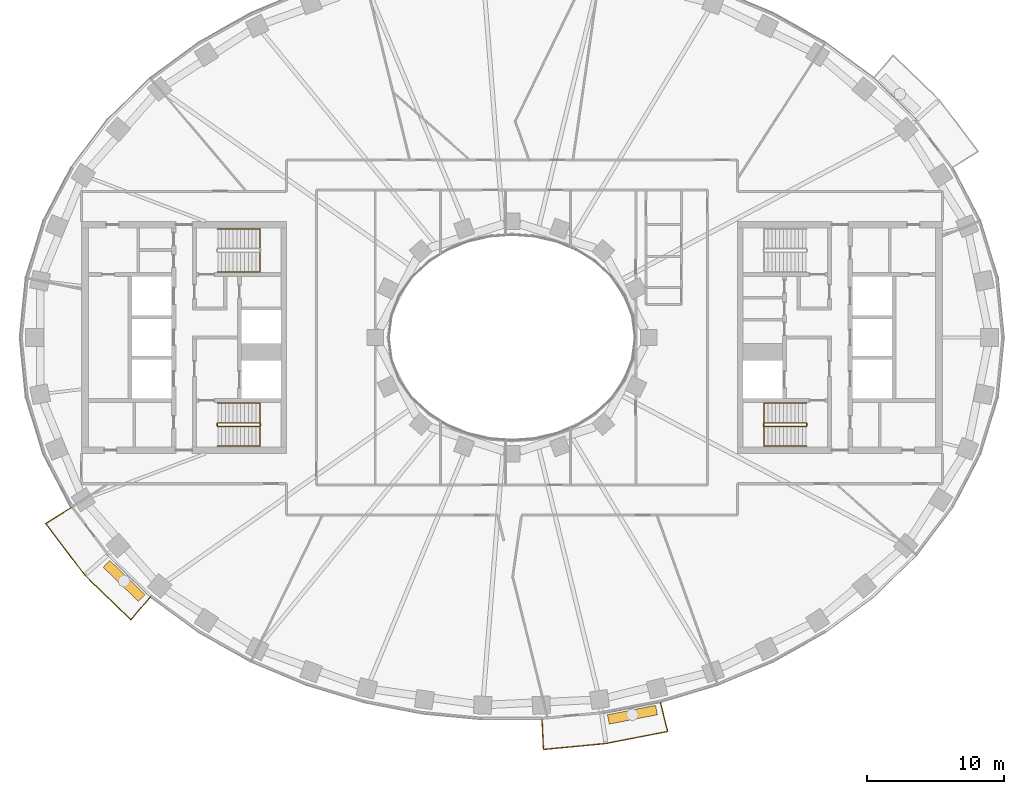
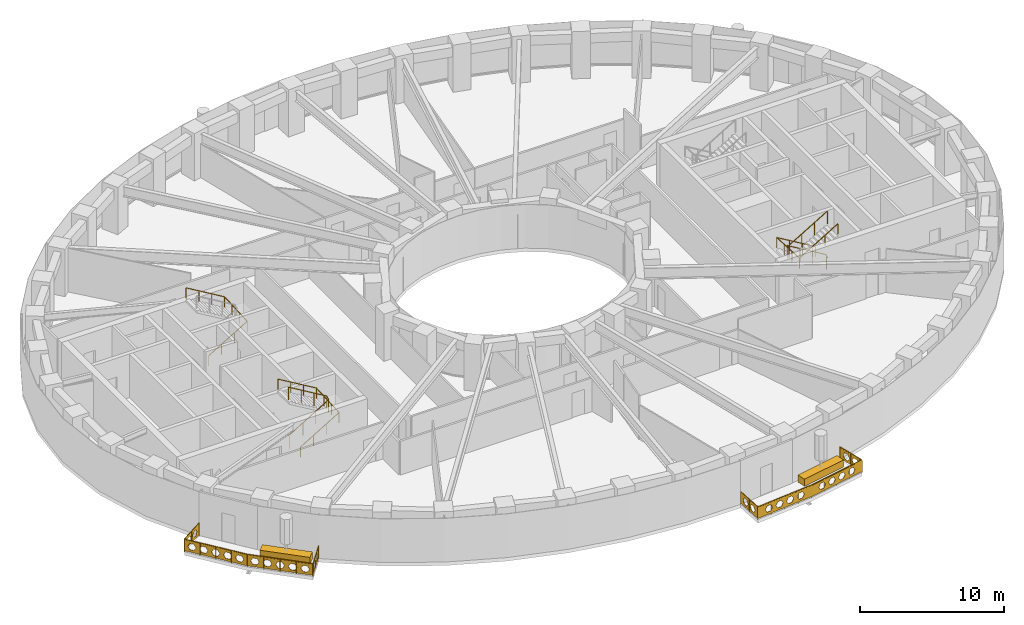
# One storey, part 14 of 16: 7 railings, 2 coverings.
"""IFC4 building model written with IfcOpenShell, lengths in metres."""

import ifcopenshell
import ifcopenshell.guid

model = None  # the IFC model being written
_history = None  # IfcOwnerHistory: only IFC2X3 demands one
_inside = {}  # id of a spatial element -> (the spatial element, [elements in it])
_under = {}  # id of a project, library or spatial element -> (it, [spatial elements below it])
_declared = {}  # id of a project -> (the project, [libraries it declares])
_typed = {}  # id of a type object -> (the type object, [elements of that type])
_made_of = {}  # id of a material, layer set ... -> (it, [elements and type objects made of it])


def new_model(schema):
    """Start an empty IFC model of exactly this schema.

    Asked for "IFC4X3", IfcOpenShell would pick the latest addendum, in which some entities
    have other attributes; the version numbers below select the first issue.
    IFC2X3 requires an IfcOwnerHistory on every rooted entity: one is made here for all.
    """
    global model, _history
    if schema == "IFC4X3":
        model = ifcopenshell.file(schema_version=(4, 3, 0, 0))
    else:
        model = ifcopenshell.file(schema=schema)
    _inside.clear()
    _under.clear()
    _declared.clear()
    _typed.clear()
    _made_of.clear()
    _history = None
    if model.schema == "IFC2X3":
        org = make("IfcOrganization", Name="unknown")
        user = make(
            "IfcPersonAndOrganization",
            ThePerson=make("IfcPerson", FamilyName="unknown"),
            TheOrganization=org,
        )
        app = make(
            "IfcApplication",
            ApplicationDeveloper=org,
            Version="unknown",
            ApplicationFullName="unknown",
            ApplicationIdentifier="unknown",
        )
        _history = make(
            "IfcOwnerHistory",
            OwningUser=user,
            OwningApplication=app,
            ChangeAction="ADDED",
            CreationDate=0,
        )
    return model


def make(cls, **values):
    """One entity of the class cls with the attributes given. An attribute that is None is left unset."""
    return model.create_entity(
        cls, **{name: value for name, value in values.items() if value is not None}
    )


def rooted(cls, **values):
    """An entity with a GlobalId (a new one), such as an element, a storey or a relation."""
    return make(cls, GlobalId=ifcopenshell.guid.new(), OwnerHistory=_history, **values)


def si_unit(unit_type, name, prefix=None):
    """IfcSIUnit, for example si_unit("LENGTHUNIT", "METRE", prefix="MILLI")."""
    return make("IfcSIUnit", UnitType=unit_type, Prefix=prefix, Name=name)


def assignment(units):
    """IfcUnitAssignment: the units of a project."""
    return None if units is None else make("IfcUnitAssignment", Units=units)


def point(xyz):
    """IfcCartesianPoint."""
    return None if xyz is None else make("IfcCartesianPoint", Coordinates=xyz)


def direction(xyz):
    """IfcDirection."""
    return None if xyz is None else make("IfcDirection", DirectionRatios=xyz)


def frame(location, z_axis=None, x_axis=None):
    """IfcAxis2Placement3D, a coordinate frame: its origin and axes. An axis left out is left unset."""
    return make(
        "IfcAxis2Placement3D",
        Location=point(location),
        Axis=direction(z_axis),
        RefDirection=direction(x_axis),
    )


def frame_2d(location, x_axis=None):
    """IfcAxis2Placement2D, a coordinate frame in the plane: its origin and x axis."""
    return make(
        "IfcAxis2Placement2D", Location=point(location), RefDirection=direction(x_axis)
    )


def origin():
    """The frame at (0, 0, 0) with its axes left unset."""
    return frame((0.0, 0.0, 0.0))


def origin_2d():
    """The frame at (0, 0) in the plane with its x axis left unset."""
    return frame_2d((0.0, 0.0))


def place(relative_to, where):
    """IfcLocalPlacement: puts the frame where relative to a parent placement (None: the world)."""
    return make(
        "IfcLocalPlacement", PlacementRelTo=relative_to, RelativePlacement=where
    )


def context(
    kind, dimensions, precision=None, world=None, true_north=None, identifier=None
):
    """IfcGeometricRepresentationContext, for example the 3D "Model" context."""
    return make(
        "IfcGeometricRepresentationContext",
        ContextIdentifier=identifier,
        ContextType=kind,
        CoordinateSpaceDimension=dimensions,
        Precision=precision,
        WorldCoordinateSystem=world,
        TrueNorth=true_north,
    )


def subcontext(parent, identifier, kind, view, scale=None):
    """IfcGeometricRepresentationSubContext, for example "Body" below "Model"."""
    return make(
        "IfcGeometricRepresentationSubContext",
        ContextIdentifier=identifier,
        ContextType=kind,
        ParentContext=parent,
        TargetScale=scale,
        TargetView=view,
    )


def project(units=None, contexts=None):
    """IfcProject with its units and contexts."""
    return rooted(
        "IfcProject",
        Name="project",
        RepresentationContexts=contexts,
        UnitsInContext=assignment(units),
    )


def spatial(cls, under=None, at=None, **own):
    """A site, building, storey or space (cls), placed at a placement, below another one or the project."""
    s = rooted(cls, ObjectPlacement=at, **own)
    if under is not None:
        _under.setdefault(under.id(), (under, []))[1].append(s)
    return s


def polyline(points):
    """IfcPolyline through the points."""
    return make("IfcPolyline", Points=[point(p) for p in points])


def profile(cls, at=None, kind="AREA", **sizes):
    """A parametric profile (cls). Its sizes go by their IFC names, for example OverallWidth=200.0."""
    return make(cls, ProfileType=kind, Position=at, **sizes)


def rectangle(**sizes):
    """IfcRectangleProfileDef."""
    return profile("IfcRectangleProfileDef", **sizes)


def outline(outer, holes=None, kind="AREA"):
    """IfcArbitraryClosedProfileDef: a profile drawn as a closed curve; with holes, ...WithVoids."""
    if holes is None:
        return make("IfcArbitraryClosedProfileDef", ProfileType=kind, OuterCurve=outer)
    return make(
        "IfcArbitraryProfileDefWithVoids",
        ProfileType=kind,
        OuterCurve=outer,
        InnerCurves=holes,
    )


def extrude(swept, where, along, depth):
    """IfcExtrudedAreaSolid: the profile swept, set in the frame where, extruded along a direction by depth."""
    return make(
        "IfcExtrudedAreaSolid",
        SweptArea=swept,
        Position=where,
        ExtrudedDirection=direction(along),
        Depth=depth,
    )


def shape(context_of_items, identifier, shape_type, items):
    """IfcShapeRepresentation: the items that make up one representation, for example the "Body"."""
    return make(
        "IfcShapeRepresentation",
        ContextOfItems=context_of_items,
        RepresentationIdentifier=identifier,
        RepresentationType=shape_type,
        Items=items,
    )


def material(Name=None, Category=None):
    """IfcMaterial."""
    return make("IfcMaterial", Name=Name, Category=Category)


def made_of(thing, what):
    """Note that an element or type object is made of a material, layer set ...; save() writes the relation."""
    if what is not None:
        _made_of.setdefault(what.id(), (what, []))[1].append(thing)
    return thing


def type_object(cls, material=None, **own):
    """A type object (cls), such as IfcWallType, which elements share."""
    return made_of(rooted(cls, **own), material)


def element(
    cls,
    number,
    at=None,
    inside=None,
    cuts=None,
    type_object=None,
    material=None,
    context=None,
    identifier="Body",
    shape_type=None,
    held_by="IfcProductDefinitionShape",
    body=None,
    shapes=None,
    **own,
):
    """One element of the class cls, such as IfcWall. Its Tag is "e" and its number.

    at: its placement. inside: the storey or other place that contains it. cuts: it is an
    opening in that element (IfcRelVoidsElement). A single representation is given by context,
    identifier, shape_type and body (its items); several are given by shapes. held_by: the class
    of the entity that holds the representations. save() writes the other relations.
    """
    e = rooted(cls, Tag="e%d" % number, ObjectPlacement=at, **own)
    if body is not None:
        shapes = [shape(context, identifier, shape_type, body)]
    if shapes is not None:
        e.Representation = make(held_by, Representations=shapes)
    if inside is not None:
        _inside.setdefault(inside.id(), (inside, []))[1].append(e)
    if cuts is not None:
        rooted(
            "IfcRelVoidsElement", RelatingBuildingElement=cuts, RelatedOpeningElement=e
        )
    if type_object is not None:
        _typed.setdefault(type_object.id(), (type_object, []))[1].append(e)
    return made_of(e, material)


def aggregate(whole, parts):
    """IfcRelAggregates: a whole, such as a stair, and the parts it consists of."""
    return rooted("IfcRelAggregates", RelatingObject=whole, RelatedObjects=parts)


def save(model, path):
    """Write the relations noted so far, then the file.

    IfcRelAggregates (storeys below a building ...), IfcRelContainedInSpatialStructure (elements
    in a storey), IfcRelDefinesByType, IfcRelAssociatesMaterial and IfcRelDeclares: one each for
    every whole, place, type object, material and project.
    """
    for whole, parts in _under.values():
        aggregate(whole, parts)
    for where, things in _inside.values():
        rooted(
            "IfcRelContainedInSpatialStructure",
            RelatedElements=things,
            RelatingStructure=where,
        )
    for kind, things in _typed.values():
        rooted("IfcRelDefinesByType", RelatedObjects=things, RelatingType=kind)
    for what, things in _made_of.values():
        rooted("IfcRelAssociatesMaterial", RelatedObjects=things, RelatingMaterial=what)
    for by, libraries in _declared.values():
        rooted("IfcRelDeclares", RelatingContext=by, RelatedDefinitions=libraries)
    model.write(path)


model = new_model("IFC4")

# Units and contexts
model_context = context("Model", 3, precision=1e-05, world=origin(), true_north=direction((0.0, 1.0)))
body_context = subcontext(model_context, "Body", "Model", "MODEL_VIEW")
ifc_project = project(units=[si_unit("LENGTHUNIT", "METRE"), si_unit("AREAUNIT", "SQUARE_METRE"), si_unit("VOLUMEUNIT", "CUBIC_METRE"), si_unit("PLANEANGLEUNIT", "RADIAN"), si_unit("MASSUNIT", "GRAM", prefix="KILO")], contexts=[model_context])

# Site, building, storey
site_placement = place(None, origin())
site = spatial("IfcSite", under=ifc_project, at=site_placement, CompositionType="ELEMENT")
building_placement = place(site_placement, origin())
building = spatial("IfcBuilding", under=site, at=building_placement, Name="Noorbagh Ring Tower", CompositionType="ELEMENT")
storey_placement = place(building_placement, frame((0.0, 0.0, 108.0)))
storey = spatial("IfcBuildingStorey", under=building, at=storey_placement, Name="L24", CompositionType="ELEMENT", Elevation=108.0)

# Railings
ifc_material_1 = material(Name="Stainless steel", Category="steel")
railing_type_1 = type_object("IfcRailingType", Name="CORE-STAIR-GUARD", PredefinedType="GUARDRAIL", material=ifc_material_1)
railing_1_placement = place(storey_placement, frame((-21.580078125, -6.449951171875, 0.0)))
element("IfcRailing", 1, at=railing_1_placement, inside=storey, type_object=railing_type_1, Name="L24 ST2 stair guard", PredefinedType="GUARDRAIL", context=body_context, shape_type="SweptSolid", body=[
    extrude(rectangle(XDim=0.048095703125, YDim=0.048095703125, at=origin_2d()), frame((0.0, 0.0, 1.076171875), z_axis=(0.0, 1.0, 0.0), x_axis=(-1.0, 0.0, 0.0)), (0.0, 0.0, 1.0), 0.14990234375),
    extrude(rectangle(XDim=0.048095703125, YDim=0.048095703125, at=origin_2d()), frame((0.0, 0.14990234375, 1.076171875), z_axis=(0.188775798145, -0.754182335027, 0.628945707965), x_axis=(0.970072785993, 0.242814311512, 0.0)), (0.0, 0.0, 1.0), 0.26513671875),
    extrude(rectangle(XDim=0.048095703125, YDim=0.048095703125, at=origin_2d()), frame((0.050048828125, -0.050048828125, 1.24267578125), z_axis=(0.859308565015, 0.0, 0.511457515432), x_axis=(0.0, 1.0, 0.0)), (0.0, 0.0, 1.0), 3.58447265625),
    extrude(rectangle(XDim=0.048095703125, YDim=0.048095703125, at=origin_2d()), frame((3.130126953125, -0.050048828125, 3.076171875), z_axis=(0.707106781187, 0.707106781187, 0.0), x_axis=(-0.707106781187, 0.707106781187, 0.0)), (0.0, 0.0, 1.0), 0.07080078125),
    extrude(rectangle(XDim=0.048095703125, YDim=0.048095703125, at=origin_2d()), frame((3.18017578125, 0.0, 3.076171875), z_axis=(0.0, 1.0, 0.0), x_axis=(-1.0, 0.0, 0.0)), (0.0, 0.0, 1.0), 0.14990234375),
    extrude(rectangle(XDim=0.048095703125, YDim=0.048095703125, at=origin_2d()), frame((3.18017578125, 0.14990234375, 3.076171875), z_axis=(-0.27628659633, 0.27628659633, 0.920506074601), x_axis=(-0.707106781187, -0.707106781187, 0.0)), (0.0, 0.0, 1.0), 0.18115234375),
    extrude(rectangle(XDim=0.048095703125, YDim=0.048095703125, at=origin_2d()), frame((3.130126953125, 0.199951171875, 3.24267578125), z_axis=(-0.859308565015, 0.0, 0.511457515432), x_axis=(0.0, -1.0, 0.0)), (0.0, 0.0, 1.0), 3.58447265625),
    extrude(rectangle(XDim=0.0419921875, YDim=0.0419921875, at=origin_2d()), origin(), (0.0, 0.0, 1.0), 1.052001953125),
    extrude(rectangle(XDim=0.0419921875, YDim=0.0419921875, at=origin_2d()), frame((1.07666015625, -0.050048828125, 0.77783203125)), (0.0, 0.0, 1.0), 1.052001953125),
    extrude(rectangle(XDim=0.0419921875, YDim=0.0419921875, at=origin_2d()), frame((2.103515625, -0.050048828125, 1.388916015625)), (0.0, 0.0, 1.0), 1.052001953125),
    extrude(rectangle(XDim=0.0419921875, YDim=0.0419921875, at=origin_2d()), frame((3.130126953125, -0.050048828125, 2.0)), (0.0, 0.0, 1.0), 1.052001953125),
    extrude(rectangle(XDim=0.0419921875, YDim=0.0419921875, at=origin_2d()), frame((3.130126953125, 0.199951171875, 2.166748046875)), (0.0, 0.0, 1.0), 1.052001953125),
    extrude(rectangle(XDim=0.0419921875, YDim=0.0419921875, at=origin_2d()), frame((2.103515625, 0.199951171875, 2.77783203125)), (0.0, 0.0, 1.0), 1.052001953125),
    extrude(rectangle(XDim=0.0419921875, YDim=0.0419921875, at=origin_2d()), frame((1.07666015625, 0.199951171875, 3.388916015625)), (0.0, 0.0, 1.0), 1.052001953125),
    extrude(rectangle(XDim=0.0419921875, YDim=0.0419921875, at=origin_2d()), frame((0.050048828125, 0.199951171875, 4.0)), (0.0, 0.0, 1.0), 1.052001953125),
])
railing_2_placement = place(storey_placement, frame((21.580078125, -6.300048828125, 0.0)))
element("IfcRailing", 2, at=railing_2_placement, inside=storey, type_object=railing_type_1, Name="L24 ST4 stair guard", PredefinedType="GUARDRAIL", context=body_context, shape_type="SweptSolid", body=[
    extrude(rectangle(XDim=0.048095703125, YDim=0.048095703125, at=origin_2d()), frame((0.0, 0.0, 1.076171875), z_axis=(0.0, -1.0, 0.0), x_axis=(1.0, 0.0, 0.0)), (0.0, 0.0, 1.0), 0.14990234375),
    extrude(rectangle(XDim=0.048095703125, YDim=0.048095703125, at=origin_2d()), frame((0.0, -0.14990234375, 1.076171875), z_axis=(-0.188775798145, 0.754182335027, 0.628945707965), x_axis=(-0.970072785993, -0.242814311512, 0.0)), (0.0, 0.0, 1.0), 0.26513671875),
    extrude(rectangle(XDim=0.048095703125, YDim=0.048095703125, at=origin_2d()), frame((-0.050048828125, 0.050048828125, 1.24267578125), z_axis=(-0.859308565015, 0.0, 0.511457515432), x_axis=(0.0, -1.0, 0.0)), (0.0, 0.0, 1.0), 3.58447265625),
    extrude(rectangle(XDim=0.048095703125, YDim=0.048095703125, at=origin_2d()), frame((-3.130126953125, 0.050048828125, 3.076171875), z_axis=(-0.707106781187, -0.707106781187, 0.0), x_axis=(0.707106781187, -0.707106781187, 0.0)), (0.0, 0.0, 1.0), 0.07080078125),
    extrude(rectangle(XDim=0.048095703125, YDim=0.048095703125, at=origin_2d()), frame((-3.18017578125, 0.0, 3.076171875), z_axis=(0.0, -1.0, 0.0), x_axis=(1.0, 0.0, 0.0)), (0.0, 0.0, 1.0), 0.14990234375),
    extrude(rectangle(XDim=0.048095703125, YDim=0.048095703125, at=origin_2d()), frame((-3.18017578125, -0.14990234375, 3.076171875), z_axis=(0.27628659633, -0.27628659633, 0.920506074601), x_axis=(0.707106781187, 0.707106781187, 0.0)), (0.0, 0.0, 1.0), 0.18115234375),
    extrude(rectangle(XDim=0.048095703125, YDim=0.048095703125, at=origin_2d()), frame((-3.130126953125, -0.199951171875, 3.24267578125), z_axis=(0.859308565015, 0.0, 0.511457515432), x_axis=(0.0, 1.0, 0.0)), (0.0, 0.0, 1.0), 3.58447265625),
    extrude(rectangle(XDim=0.0419921875, YDim=0.0419921875, at=origin_2d()), origin(), (0.0, 0.0, 1.0), 1.052001953125),
    extrude(rectangle(XDim=0.0419921875, YDim=0.0419921875, at=origin_2d()), frame((-1.07666015625, 0.050048828125, 0.77783203125)), (0.0, 0.0, 1.0), 1.052001953125),
    extrude(rectangle(XDim=0.0419921875, YDim=0.0419921875, at=origin_2d()), frame((-2.103515625, 0.050048828125, 1.388916015625)), (0.0, 0.0, 1.0), 1.052001953125),
    extrude(rectangle(XDim=0.0419921875, YDim=0.0419921875, at=origin_2d()), frame((-3.130126953125, 0.050048828125, 2.0)), (0.0, 0.0, 1.0), 1.052001953125),
    extrude(rectangle(XDim=0.0419921875, YDim=0.0419921875, at=origin_2d()), frame((-3.130126953125, -0.199951171875, 2.166748046875)), (0.0, 0.0, 1.0), 1.052001953125),
    extrude(rectangle(XDim=0.0419921875, YDim=0.0419921875, at=origin_2d()), frame((-2.103515625, -0.199951171875, 2.77783203125)), (0.0, 0.0, 1.0), 1.052001953125),
    extrude(rectangle(XDim=0.0419921875, YDim=0.0419921875, at=origin_2d()), frame((-1.07666015625, -0.199951171875, 3.388916015625)), (0.0, 0.0, 1.0), 1.052001953125),
    extrude(rectangle(XDim=0.0419921875, YDim=0.0419921875, at=origin_2d()), frame((-0.050048828125, -0.199951171875, 4.0)), (0.0, 0.0, 1.0), 1.052001953125),
])
ifc_material_2 = material(Name="Stainless steel", Category="steel")
railing_type_2 = type_object("IfcRailingType", Name="CORE-STAIR-HANDRAIL", PredefinedType="HANDRAIL", material=ifc_material_2)
railing_3_placement = place(storey_placement, frame((-21.530029296875, 4.800048828125, 0.166748046875)))
element("IfcRailing", 3, at=railing_3_placement, inside=storey, type_object=railing_type_2, Name="L24 ST1 stair handrail", PredefinedType="HANDRAIL", context=body_context, shape_type="SweptSolid", body=[
    extrude(rectangle(XDim=0.048095703125, YDim=0.048095703125, at=origin_2d()), frame((0.0, 0.0, 0.8759765625), z_axis=(0.859308565015, 0.0, 0.511457515432), x_axis=(0.0, 1.0, 0.0)), (0.0, 0.0, 1.0), 3.58447265625),
    extrude(rectangle(XDim=0.048095703125, YDim=0.048095703125, at=origin_2d()), frame((3.080078125, 0.0, 2.708984375), z_axis=(0.0, 0.998601747152, 0.052863509014), x_axis=(-1.0, 0.0, 0.0)), (0.0, 0.0, 1.0), 3.154296875),
    extrude(rectangle(XDim=0.048095703125, YDim=0.048095703125, at=origin_2d()), frame((3.080078125, 3.14990234375, 2.8759765625), z_axis=(-0.859308565015, 0.0, 0.511457515432), x_axis=(0.0, -1.0, 0.0)), (0.0, 0.0, 1.0), 3.58447265625),
    extrude(rectangle(XDim=0.0419921875, YDim=0.0419921875, at=origin_2d()), origin(), (0.0, 0.0, 1.0), 0.851806640625),
    extrude(rectangle(XDim=0.0419921875, YDim=0.0419921875, at=origin_2d()), frame((1.026611328125, 0.0, 0.611083984375)), (0.0, 0.0, 1.0), 0.851806640625),
    extrude(rectangle(XDim=0.0419921875, YDim=0.0419921875, at=origin_2d()), frame((2.053466796875, 0.0, 1.22216796875)), (0.0, 0.0, 1.0), 0.851806640625),
    extrude(rectangle(XDim=0.0419921875, YDim=0.0419921875, at=origin_2d()), frame((3.080078125, 0.0, 1.833251953125)), (0.0, 0.0, 1.0), 0.851806640625),
    extrude(rectangle(XDim=0.0419921875, YDim=0.0419921875, at=origin_2d()), frame((3.080078125, 1.050048828125, 1.888916015625)), (0.0, 0.0, 1.0), 0.851806640625),
    extrude(rectangle(XDim=0.0419921875, YDim=0.0419921875, at=origin_2d()), frame((3.080078125, 2.099853515625, 1.9443359375)), (0.0, 0.0, 1.0), 0.851806640625),
    extrude(rectangle(XDim=0.0419921875, YDim=0.0419921875, at=origin_2d()), frame((3.080078125, 3.14990234375, 2.0)), (0.0, 0.0, 1.0), 0.851806640625),
    extrude(rectangle(XDim=0.0419921875, YDim=0.0419921875, at=origin_2d()), frame((2.053466796875, 3.14990234375, 2.611083984375)), (0.0, 0.0, 1.0), 0.851806640625),
    extrude(rectangle(XDim=0.0419921875, YDim=0.0419921875, at=origin_2d()), frame((1.026611328125, 3.14990234375, 3.22216796875)), (0.0, 0.0, 1.0), 0.851806640625),
    extrude(rectangle(XDim=0.0419921875, YDim=0.0419921875, at=origin_2d()), frame((0.0, 3.14990234375, 3.833251953125)), (0.0, 0.0, 1.0), 0.851806640625),
])
railing_4_placement = place(storey_placement, frame((-21.530029296875, -7.949951171875, 0.166748046875)))
element("IfcRailing", 4, at=railing_4_placement, inside=storey, type_object=railing_type_2, Name="L24 ST2 stair handrail", PredefinedType="HANDRAIL", context=body_context, shape_type="SweptSolid", body=[
    extrude(rectangle(XDim=0.048095703125, YDim=0.048095703125, at=origin_2d()), frame((0.0, 0.0, 0.8759765625), z_axis=(0.859308565015, 0.0, 0.511457515432), x_axis=(0.0, 1.0, 0.0)), (0.0, 0.0, 1.0), 3.58447265625),
    extrude(rectangle(XDim=0.048095703125, YDim=0.048095703125, at=origin_2d()), frame((3.080078125, 0.0, 2.708984375), z_axis=(0.0, 0.998601747152, 0.052863509014), x_axis=(-1.0, 0.0, 0.0)), (0.0, 0.0, 1.0), 3.154296875),
    extrude(rectangle(XDim=0.048095703125, YDim=0.048095703125, at=origin_2d()), frame((3.080078125, 3.14990234375, 2.8759765625), z_axis=(-0.859308565015, 0.0, 0.511457515432), x_axis=(0.0, -1.0, 0.0)), (0.0, 0.0, 1.0), 3.58447265625),
    extrude(rectangle(XDim=0.0419921875, YDim=0.0419921875, at=origin_2d()), origin(), (0.0, 0.0, 1.0), 0.851806640625),
    extrude(rectangle(XDim=0.0419921875, YDim=0.0419921875, at=origin_2d()), frame((1.026611328125, 0.0, 0.611083984375)), (0.0, 0.0, 1.0), 0.851806640625),
    extrude(rectangle(XDim=0.0419921875, YDim=0.0419921875, at=origin_2d()), frame((2.053466796875, 0.0, 1.22216796875)), (0.0, 0.0, 1.0), 0.851806640625),
    extrude(rectangle(XDim=0.0419921875, YDim=0.0419921875, at=origin_2d()), frame((3.080078125, 0.0, 1.833251953125)), (0.0, 0.0, 1.0), 0.851806640625),
    extrude(rectangle(XDim=0.0419921875, YDim=0.0419921875, at=origin_2d()), frame((3.080078125, 1.050048828125, 1.888916015625)), (0.0, 0.0, 1.0), 0.851806640625),
    extrude(rectangle(XDim=0.0419921875, YDim=0.0419921875, at=origin_2d()), frame((3.080078125, 2.099853515625, 1.9443359375)), (0.0, 0.0, 1.0), 0.851806640625),
    extrude(rectangle(XDim=0.0419921875, YDim=0.0419921875, at=origin_2d()), frame((3.080078125, 3.14990234375, 2.0)), (0.0, 0.0, 1.0), 0.851806640625),
    extrude(rectangle(XDim=0.0419921875, YDim=0.0419921875, at=origin_2d()), frame((2.053466796875, 3.14990234375, 2.611083984375)), (0.0, 0.0, 1.0), 0.851806640625),
    extrude(rectangle(XDim=0.0419921875, YDim=0.0419921875, at=origin_2d()), frame((1.026611328125, 3.14990234375, 3.22216796875)), (0.0, 0.0, 1.0), 0.851806640625),
    extrude(rectangle(XDim=0.0419921875, YDim=0.0419921875, at=origin_2d()), frame((0.0, 3.14990234375, 3.833251953125)), (0.0, 0.0, 1.0), 0.851806640625),
])
railing_5_placement = place(storey_placement, frame((21.530029296875, -4.800048828125, 0.166748046875)))
element("IfcRailing", 5, at=railing_5_placement, inside=storey, type_object=railing_type_2, Name="L24 ST4 stair handrail", PredefinedType="HANDRAIL", context=body_context, shape_type="SweptSolid", body=[
    extrude(rectangle(XDim=0.048095703125, YDim=0.048095703125, at=origin_2d()), frame((0.0, 0.0, 0.8759765625), z_axis=(-0.859308565015, 0.0, 0.511457515432), x_axis=(0.0, -1.0, 0.0)), (0.0, 0.0, 1.0), 3.58447265625),
    extrude(rectangle(XDim=0.048095703125, YDim=0.048095703125, at=origin_2d()), frame((-3.080078125, 0.0, 2.708984375), z_axis=(0.0, -0.998601747152, 0.052863509014), x_axis=(1.0, 0.0, 0.0)), (0.0, 0.0, 1.0), 3.154296875),
    extrude(rectangle(XDim=0.048095703125, YDim=0.048095703125, at=origin_2d()), frame((-3.080078125, -3.14990234375, 2.8759765625), z_axis=(0.859308565015, 0.0, 0.511457515432), x_axis=(0.0, 1.0, 0.0)), (0.0, 0.0, 1.0), 3.58447265625),
    extrude(rectangle(XDim=0.0419921875, YDim=0.0419921875, at=origin_2d()), origin(), (0.0, 0.0, 1.0), 0.851806640625),
    extrude(rectangle(XDim=0.0419921875, YDim=0.0419921875, at=origin_2d()), frame((-1.026611328125, 0.0, 0.611083984375)), (0.0, 0.0, 1.0), 0.851806640625),
    extrude(rectangle(XDim=0.0419921875, YDim=0.0419921875, at=origin_2d()), frame((-2.053466796875, 0.0, 1.22216796875)), (0.0, 0.0, 1.0), 0.851806640625),
    extrude(rectangle(XDim=0.0419921875, YDim=0.0419921875, at=origin_2d()), frame((-3.080078125, 0.0, 1.833251953125)), (0.0, 0.0, 1.0), 0.851806640625),
    extrude(rectangle(XDim=0.0419921875, YDim=0.0419921875, at=origin_2d()), frame((-3.080078125, -1.050048828125, 1.888916015625)), (0.0, 0.0, 1.0), 0.851806640625),
    extrude(rectangle(XDim=0.0419921875, YDim=0.0419921875, at=origin_2d()), frame((-3.080078125, -2.099853515625, 1.9443359375)), (0.0, 0.0, 1.0), 0.851806640625),
    extrude(rectangle(XDim=0.0419921875, YDim=0.0419921875, at=origin_2d()), frame((-3.080078125, -3.14990234375, 2.0)), (0.0, 0.0, 1.0), 0.851806640625),
    extrude(rectangle(XDim=0.0419921875, YDim=0.0419921875, at=origin_2d()), frame((-2.053466796875, -3.14990234375, 2.611083984375)), (0.0, 0.0, 1.0), 0.851806640625),
    extrude(rectangle(XDim=0.0419921875, YDim=0.0419921875, at=origin_2d()), frame((-1.026611328125, -3.14990234375, 3.22216796875)), (0.0, 0.0, 1.0), 0.851806640625),
    extrude(rectangle(XDim=0.0419921875, YDim=0.0419921875, at=origin_2d()), frame((0.0, -3.14990234375, 3.833251953125)), (0.0, 0.0, 1.0), 0.851806640625),
])
ifc_material_3 = material(Name="Steel S275 black powder-coated", Category="steel")
railing_type_3 = type_object("IfcRailingType", Name="ENV-GUARD", PredefinedType="GUARDRAIL", material=ifc_material_3)
railing_6_placement = place(storey_placement, frame((-32.255126953125, -12.434814453125, 0.0)))
element("IfcRailing", 6, at=railing_6_placement, inside=storey, type_object=railing_type_3, Name="Balcony guard BS01", PredefinedType="GUARDRAIL", context=body_context, shape_type="SweptSolid", body=[
    extrude(rectangle(XDim=0.048095703125, YDim=0.048095703125, at=origin_2d()), frame((0.0, 0.0, 1.076171875), z_axis=(-0.844852397829, -0.534999463442, 0.0), x_axis=(0.534999463442, -0.844852397829, 0.0)), (0.0, 0.0, 1.0), 2.207763671875),
    extrude(rectangle(XDim=0.048095703125, YDim=0.048095703125, at=origin_2d()), frame((-1.865234375, -1.18115234375, 1.076171875), z_axis=(0.604001613322, -0.796983093362, 0.0), x_axis=(0.796983093362, 0.604001613322, 0.0)), (0.0, 0.0, 1.0), 4.7353515625),
    extrude(rectangle(XDim=0.048095703125, YDim=0.048095703125, at=origin_2d()), frame((0.994873046875, -4.955078125, 1.076171875), z_axis=(0.717212632946, -0.696854388766, 0.0), x_axis=(0.696854388766, 0.717212632946, 0.0)), (0.0, 0.0, 1.0), 4.700927734375),
    extrude(rectangle(XDim=0.048095703125, YDim=0.048095703125, at=origin_2d()), frame((4.366455078125, -8.23095703125, 1.076171875), z_axis=(0.646413574048, 0.762987215677, 0.0), x_axis=(-0.762987215677, 0.646413574048, 0.0)), (0.0, 0.0, 1.0), 2.205322265625),
    extrude(rectangle(XDim=0.0419921875, YDim=0.0419921875, at=origin_2d()), origin(), (0.0, 0.0, 1.0), 1.052001953125),
    extrude(rectangle(XDim=0.0419921875, YDim=0.0419921875, at=origin_2d()), frame((-0.9326171875, -0.590576171875, 0.0)), (0.0, 0.0, 1.0), 1.052001953125),
    extrude(rectangle(XDim=0.0419921875, YDim=0.0419921875, at=origin_2d()), frame((-1.865234375, -1.18115234375, 0.0)), (0.0, 0.0, 1.0), 1.052001953125),
    extrude(rectangle(XDim=0.0419921875, YDim=0.0419921875, at=origin_2d()), frame((-1.150146484375, -2.12451171875, 0.0)), (0.0, 0.0, 1.0), 1.052001953125),
    extrude(rectangle(XDim=0.0419921875, YDim=0.0419921875, at=origin_2d()), frame((-0.43505859375, -3.068115234375, 0.0)), (0.0, 0.0, 1.0), 1.052001953125),
    extrude(rectangle(XDim=0.0419921875, YDim=0.0419921875, at=origin_2d()), frame((0.27978515625, -4.01171875, 0.0)), (0.0, 0.0, 1.0), 1.052001953125),
    extrude(rectangle(XDim=0.0419921875, YDim=0.0419921875, at=origin_2d()), frame((0.994873046875, -4.955078125, 0.0)), (0.0, 0.0, 1.0), 1.052001953125),
    extrude(rectangle(XDim=0.0419921875, YDim=0.0419921875, at=origin_2d()), frame((1.837890625, -5.77392578125, 0.0)), (0.0, 0.0, 1.0), 1.052001953125),
    extrude(rectangle(XDim=0.0419921875, YDim=0.0419921875, at=origin_2d()), frame((2.6806640625, -6.593017578125, 0.0)), (0.0, 0.0, 1.0), 1.052001953125),
    extrude(rectangle(XDim=0.0419921875, YDim=0.0419921875, at=origin_2d()), frame((3.5234375, -7.412109375, 0.0)), (0.0, 0.0, 1.0), 1.052001953125),
    extrude(rectangle(XDim=0.0419921875, YDim=0.0419921875, at=origin_2d()), frame((4.366455078125, -8.23095703125, 0.0)), (0.0, 0.0, 1.0), 1.052001953125),
    extrude(rectangle(XDim=0.0419921875, YDim=0.0419921875, at=origin_2d()), frame((5.0791015625, -7.3896484375, 0.0)), (0.0, 0.0, 1.0), 1.052001953125),
    extrude(rectangle(XDim=0.0419921875, YDim=0.0419921875, at=origin_2d()), frame((5.7919921875, -6.54833984375, 0.0)), (0.0, 0.0, 1.0), 1.052001953125),
    extrude(outline(polyline([(0.0, 0.10009765625), (2.207763671875, 0.10009765625), (2.207763671875, 1.031982421875), (0.0, 1.031982421875), (0.0, 0.10009765625)]), holes=[polyline([(0.9638671875, 0.56591796875), (0.808837890625, 0.83447265625), (0.498779296875, 0.83447265625), (0.343994140625, 0.56591796875), (0.498779296875, 0.297607421875), (0.808837890625, 0.297607421875), (0.9638671875, 0.56591796875)]), polyline([(1.86376953125, 0.56591796875), (1.708984375, 0.83447265625), (1.39892578125, 0.83447265625), (1.243896484375, 0.56591796875), (1.39892578125, 0.297607421875), (1.708984375, 0.297607421875), (1.86376953125, 0.56591796875)])]), frame((0.00537109375, -0.008544921875, 0.0), z_axis=(-0.534999463442, 0.844852397829, 0.0), x_axis=(-0.844852397829, -0.534999463442, 0.0)), (0.0, 0.0, 1.0), 0.02001953125),
    extrude(outline(polyline([(0.0, 0.10009765625), (4.7353515625, 0.10009765625), (4.7353515625, 1.031982421875), (0.0, 1.031982421875), (0.0, 0.10009765625)]), holes=[polyline([(0.877685546875, 0.56591796875), (0.72265625, 0.83447265625), (0.41259765625, 0.83447265625), (0.257568359375, 0.56591796875), (0.41259765625, 0.297607421875), (0.72265625, 0.297607421875), (0.877685546875, 0.56591796875)]), polyline([(1.777587890625, 0.56591796875), (1.62255859375, 0.83447265625), (1.312744140625, 0.83447265625), (1.15771484375, 0.56591796875), (1.312744140625, 0.297607421875), (1.62255859375, 0.297607421875), (1.777587890625, 0.56591796875)]), polyline([(2.677734375, 0.56591796875), (2.522705078125, 0.83447265625), (2.212646484375, 0.83447265625), (2.0576171875, 0.56591796875), (2.212646484375, 0.297607421875), (2.522705078125, 0.297607421875), (2.677734375, 0.56591796875)]), polyline([(3.57763671875, 0.56591796875), (3.422607421875, 0.83447265625), (3.112548828125, 0.83447265625), (2.95751953125, 0.56591796875), (3.112548828125, 0.297607421875), (3.422607421875, 0.297607421875), (3.57763671875, 0.56591796875)]), polyline([(4.4775390625, 0.56591796875), (4.32275390625, 0.83447265625), (4.0126953125, 0.83447265625), (3.857666015625, 0.56591796875), (4.0126953125, 0.297607421875), (4.32275390625, 0.297607421875), (4.4775390625, 0.56591796875)])]), frame((-1.857177734375, -1.175048828125, 0.0), z_axis=(-0.796983093362, -0.604001613322, 0.0), x_axis=(0.604001613322, -0.796983093362, 0.0)), (0.0, 0.0, 1.0), 0.02001953125),
    extrude(outline(polyline([(0.0, 0.10009765625), (4.700927734375, 0.10009765625), (4.700927734375, 1.031982421875), (0.0, 1.031982421875), (0.0, 0.10009765625)]), holes=[polyline([(0.860595703125, 0.56591796875), (0.70556640625, 0.83447265625), (0.3955078125, 0.83447265625), (0.240478515625, 0.56591796875), (0.3955078125, 0.297607421875), (0.70556640625, 0.297607421875), (0.860595703125, 0.56591796875)]), polyline([(1.760498046875, 0.56591796875), (1.60546875, 0.83447265625), (1.29541015625, 0.83447265625), (1.140380859375, 0.56591796875), (1.29541015625, 0.297607421875), (1.60546875, 0.297607421875), (1.760498046875, 0.56591796875)]), polyline([(2.660400390625, 0.56591796875), (2.50537109375, 0.83447265625), (2.195556640625, 0.83447265625), (2.04052734375, 0.56591796875), (2.195556640625, 0.297607421875), (2.50537109375, 0.297607421875), (2.660400390625, 0.56591796875)]), polyline([(3.560546875, 0.56591796875), (3.405517578125, 0.83447265625), (3.095458984375, 0.83447265625), (2.9404296875, 0.56591796875), (3.095458984375, 0.297607421875), (3.405517578125, 0.297607421875), (3.560546875, 0.56591796875)]), polyline([(4.46044921875, 0.56591796875), (4.305419921875, 0.83447265625), (3.995361328125, 0.83447265625), (3.840576171875, 0.56591796875), (3.995361328125, 0.297607421875), (4.305419921875, 0.297607421875), (4.46044921875, 0.56591796875)])]), frame((1.001953125, -4.947998046875, 0.0), z_axis=(-0.696854388766, -0.717212632946, 0.0), x_axis=(0.717212632946, -0.696854388766, 0.0)), (0.0, 0.0, 1.0), 0.02001953125),
    extrude(outline(polyline([(0.0, 0.10009765625), (2.205322265625, 0.10009765625), (2.205322265625, 1.031982421875), (0.0, 1.031982421875), (0.0, 0.10009765625)]), holes=[polyline([(0.962646484375, 0.56591796875), (0.8076171875, 0.83447265625), (0.49755859375, 0.83447265625), (0.342529296875, 0.56591796875), (0.49755859375, 0.297607421875), (0.8076171875, 0.297607421875), (0.962646484375, 0.56591796875)]), polyline([(1.862548828125, 0.56591796875), (1.707763671875, 0.83447265625), (1.397705078125, 0.83447265625), (1.24267578125, 0.56591796875), (1.397705078125, 0.297607421875), (1.707763671875, 0.297607421875), (1.862548828125, 0.56591796875)])]), frame((4.35888671875, -8.224609375, 0.0), z_axis=(0.762987215677, -0.646413574048, 0.0), x_axis=(0.646413574048, 0.762987215677, 0.0)), (0.0, 0.0, 1.0), 0.02001953125),
])
railing_7_placement = place(storey_placement, frame((2.193115234375, -27.947998046875, 0.0)))
element("IfcRailing", 7, at=railing_7_placement, inside=storey, type_object=railing_type_3, Name="Balcony guard BS04", PredefinedType="GUARDRAIL", context=body_context, shape_type="SweptSolid", body=[
    extrude(rectangle(XDim=0.048095703125, YDim=0.048095703125, at=origin_2d()), frame((0.0, 0.0, 1.076171875), z_axis=(0.047554616162, -0.998868639252, 0.0), x_axis=(0.998868639252, 0.047554616162, 0.0)), (0.0, 0.0, 1.0), 2.202392578125),
    extrude(rectangle(XDim=0.048095703125, YDim=0.048095703125, at=origin_2d()), frame((0.104736328125, -2.199951171875, 1.076171875), z_axis=(0.995477555764, 0.094997031379, 0.0), x_axis=(-0.094997031379, 0.995477555764, 0.0)), (0.0, 0.0, 1.0), 4.59765625),
    extrude(rectangle(XDim=0.048095703125, YDim=0.048095703125, at=origin_2d()), frame((4.681640625, -1.76318359375, 1.076171875), z_axis=(0.981625049064, 0.1908199755, 0.0), x_axis=(-0.1908199755, 0.981625049064, 0.0)), (0.0, 0.0, 1.0), 4.603271484375),
    extrude(rectangle(XDim=0.048095703125, YDim=0.048095703125, at=origin_2d()), frame((9.200439453125, -0.884765625, 1.076171875), z_axis=(-0.239848558412, 0.970810315679, 0.0), x_axis=(-0.970810315679, -0.239848558412, 0.0)), (0.0, 0.0, 1.0), 2.20263671875),
    extrude(rectangle(XDim=0.0419921875, YDim=0.0419921875, at=origin_2d()), origin(), (0.0, 0.0, 1.0), 1.052001953125),
    extrude(rectangle(XDim=0.0419921875, YDim=0.0419921875, at=origin_2d()), frame((0.05224609375, -1.10009765625, 0.0)), (0.0, 0.0, 1.0), 1.052001953125),
    extrude(rectangle(XDim=0.0419921875, YDim=0.0419921875, at=origin_2d()), frame((0.104736328125, -2.199951171875, 0.0)), (0.0, 0.0, 1.0), 1.052001953125),
    extrude(rectangle(XDim=0.0419921875, YDim=0.0419921875, at=origin_2d()), frame((1.2490234375, -2.0908203125, 0.0)), (0.0, 0.0, 1.0), 1.052001953125),
    extrude(rectangle(XDim=0.0419921875, YDim=0.0419921875, at=origin_2d()), frame((2.39306640625, -1.9814453125, 0.0)), (0.0, 0.0, 1.0), 1.052001953125),
    extrude(rectangle(XDim=0.0419921875, YDim=0.0419921875, at=origin_2d()), frame((3.537353515625, -1.872314453125, 0.0)), (0.0, 0.0, 1.0), 1.052001953125),
    extrude(rectangle(XDim=0.0419921875, YDim=0.0419921875, at=origin_2d()), frame((4.681640625, -1.76318359375, 0.0)), (0.0, 0.0, 1.0), 1.052001953125),
    extrude(rectangle(XDim=0.0419921875, YDim=0.0419921875, at=origin_2d()), frame((5.811279296875, -1.54345703125, 0.0)), (0.0, 0.0, 1.0), 1.052001953125),
    extrude(rectangle(XDim=0.0419921875, YDim=0.0419921875, at=origin_2d()), frame((6.94091796875, -1.323974609375, 0.0)), (0.0, 0.0, 1.0), 1.052001953125),
    extrude(rectangle(XDim=0.0419921875, YDim=0.0419921875, at=origin_2d()), frame((8.07080078125, -1.1044921875, 0.0)), (0.0, 0.0, 1.0), 1.052001953125),
    extrude(rectangle(XDim=0.0419921875, YDim=0.0419921875, at=origin_2d()), frame((9.200439453125, -0.884765625, 0.0)), (0.0, 0.0, 1.0), 1.052001953125),
    extrude(rectangle(XDim=0.0419921875, YDim=0.0419921875, at=origin_2d()), frame((8.936279296875, 0.1845703125, 0.0)), (0.0, 0.0, 1.0), 1.052001953125),
    extrude(rectangle(XDim=0.0419921875, YDim=0.0419921875, at=origin_2d()), frame((8.672119140625, 1.253662109375, 0.0)), (0.0, 0.0, 1.0), 1.052001953125),
    extrude(outline(polyline([(0.0, 0.10009765625), (2.202392578125, 0.10009765625), (2.202392578125, 1.031982421875), (0.0, 1.031982421875), (0.0, 0.10009765625)]), holes=[polyline([(0.961181640625, 0.56591796875), (0.80615234375, 0.83447265625), (0.496337890625, 0.83447265625), (0.34130859375, 0.56591796875), (0.496337890625, 0.297607421875), (0.80615234375, 0.297607421875), (0.961181640625, 0.56591796875)]), polyline([(1.861328125, 0.56591796875), (1.706298828125, 0.83447265625), (1.396240234375, 0.83447265625), (1.2412109375, 0.56591796875), (1.396240234375, 0.297607421875), (1.706298828125, 0.297607421875), (1.861328125, 0.56591796875)])]), frame((0.010009765625, 0.00048828125, 0.0), z_axis=(-0.998868639252, -0.047554616162, 0.0), x_axis=(0.047554616162, -0.998868639252, 0.0)), (0.0, 0.0, 1.0), 0.02001953125),
    extrude(outline(polyline([(0.0, 0.10009765625), (4.59765625, 0.10009765625), (4.59765625, 1.031982421875), (0.0, 1.031982421875), (0.0, 0.10009765625)]), holes=[polyline([(1.2587890625, 0.56591796875), (1.103759765625, 0.83447265625), (0.7939453125, 0.83447265625), (0.638916015625, 0.56591796875), (0.7939453125, 0.297607421875), (1.103759765625, 0.297607421875), (1.2587890625, 0.56591796875)]), polyline([(2.158935546875, 0.56591796875), (2.00390625, 0.83447265625), (1.69384765625, 0.83447265625), (1.538818359375, 0.56591796875), (1.69384765625, 0.297607421875), (2.00390625, 0.297607421875), (2.158935546875, 0.56591796875)]), polyline([(3.058837890625, 0.56591796875), (2.90380859375, 0.83447265625), (2.59375, 0.83447265625), (2.43896484375, 0.56591796875), (2.59375, 0.297607421875), (2.90380859375, 0.297607421875), (3.058837890625, 0.56591796875)]), polyline([(3.958740234375, 0.56591796875), (3.803955078125, 0.83447265625), (3.493896484375, 0.83447265625), (3.3388671875, 0.56591796875), (3.493896484375, 0.297607421875), (3.803955078125, 0.297607421875), (3.958740234375, 0.56591796875)])]), frame((0.103759765625, -2.18994140625, 0.0), z_axis=(0.094997031379, -0.995477555764, 0.0), x_axis=(0.995477555764, 0.094997031379, 0.0)), (0.0, 0.0, 1.0), 0.02001953125),
    extrude(outline(polyline([(0.0, 0.10009765625), (4.603271484375, 0.10009765625), (4.603271484375, 1.031982421875), (0.0, 1.031982421875), (0.0, 0.10009765625)]), holes=[polyline([(1.26171875, 0.56591796875), (1.106689453125, 0.83447265625), (0.796630859375, 0.83447265625), (0.6416015625, 0.56591796875), (0.796630859375, 0.297607421875), (1.106689453125, 0.297607421875), (1.26171875, 0.56591796875)]), polyline([(2.16162109375, 0.56591796875), (2.006591796875, 0.83447265625), (1.69677734375, 0.83447265625), (1.541748046875, 0.56591796875), (1.69677734375, 0.297607421875), (2.006591796875, 0.297607421875), (2.16162109375, 0.56591796875)]), polyline([(3.061767578125, 0.56591796875), (2.90673828125, 0.83447265625), (2.5966796875, 0.83447265625), (2.441650390625, 0.56591796875), (2.5966796875, 0.297607421875), (2.90673828125, 0.297607421875), (3.061767578125, 0.56591796875)]), polyline([(3.961669921875, 0.56591796875), (3.806640625, 0.83447265625), (3.49658203125, 0.83447265625), (3.341796875, 0.56591796875), (3.49658203125, 0.297607421875), (3.806640625, 0.297607421875), (3.961669921875, 0.56591796875)])]), frame((4.6796875, -1.75341796875, 0.0), z_axis=(0.1908199755, -0.981625049064, 0.0), x_axis=(0.981625049064, 0.1908199755, 0.0)), (0.0, 0.0, 1.0), 0.02001953125),
    extrude(outline(polyline([(0.0, 0.10009765625), (2.20263671875, 0.10009765625), (2.20263671875, 1.031982421875), (0.0, 1.031982421875), (0.0, 0.10009765625)]), holes=[polyline([(0.96142578125, 0.56591796875), (0.806396484375, 0.83447265625), (0.496337890625, 0.83447265625), (0.34130859375, 0.56591796875), (0.496337890625, 0.297607421875), (0.806396484375, 0.297607421875), (0.96142578125, 0.56591796875)]), polyline([(1.861328125, 0.56591796875), (1.706298828125, 0.83447265625), (1.396240234375, 0.83447265625), (1.241455078125, 0.56591796875), (1.396240234375, 0.297607421875), (1.706298828125, 0.297607421875), (1.861328125, 0.56591796875)])]), frame((9.190673828125, -0.88720703125, 0.0), z_axis=(0.970810315679, 0.239848558412, 0.0), x_axis=(-0.239848558412, 0.970810315679, 0.0)), (0.0, 0.0, 1.0), 0.02001953125),
])

# Coverings
ifc_material_4 = material(Name="Concrete C30/37 planter with soil", Category="concrete")
covering_type = type_object("IfcCoveringType", Name="ENV-PLANTER", PredefinedType="CLADDING", material=ifc_material_4)
covering_1_placement = place(storey_placement, frame((-28.3837890625, -17.814208984375, 0.0), z_axis=(0.0, 0.0, 1.0), x_axis=(0.717224548362, -0.696842125038, 0.0)))
element("IfcCovering", 8, at=covering_1_placement, inside=storey, type_object=covering_type, Name="PLANTER BS01", ObjectType="PLANTER", PredefinedType="CLADDING", context=body_context, shape_type="SweptSolid", body=[
    extrude(rectangle(XDim=3.584228515625, YDim=0.699951171875, at=origin_2d()), origin(), (0.0, 0.0, 1.0), 0.60009765625),
])
covering_2_placement = place(storey_placement, frame((8.807861328125, -27.603515625, 0.0), z_axis=(0.0, 0.0, 1.0), x_axis=(0.981624952922, 0.190820470077, 0.0)))
element("IfcCovering", 9, at=covering_2_placement, inside=storey, type_object=covering_type, Name="PLANTER BS04", ObjectType="PLANTER", PredefinedType="CLADDING", context=body_context, shape_type="SweptSolid", body=[
    extrude(rectangle(XDim=3.586181640625, YDim=0.699951171875, at=origin_2d()), origin(), (0.0, 0.0, 1.0), 0.60009765625),
])

save(model, "model.ifc")
